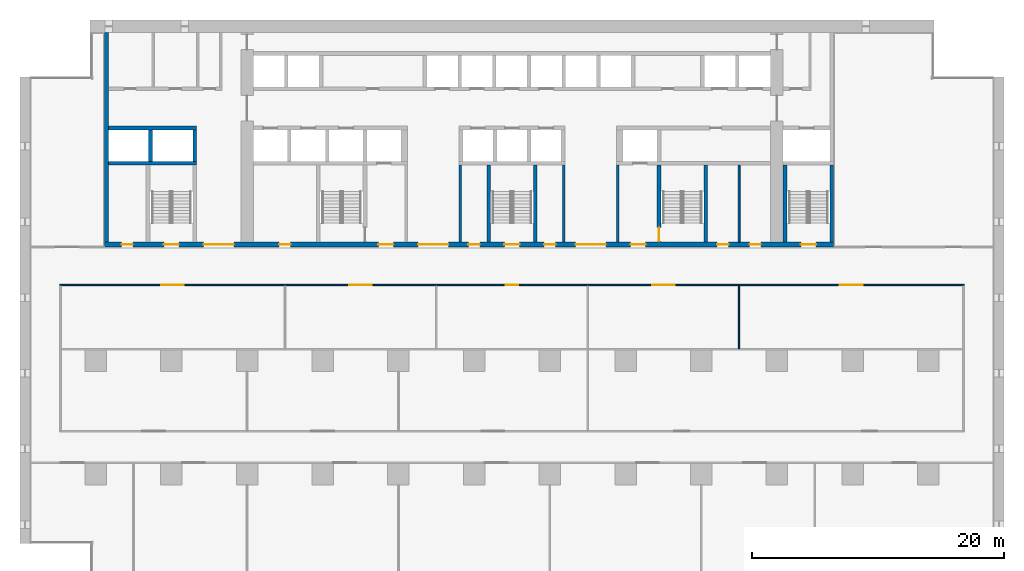
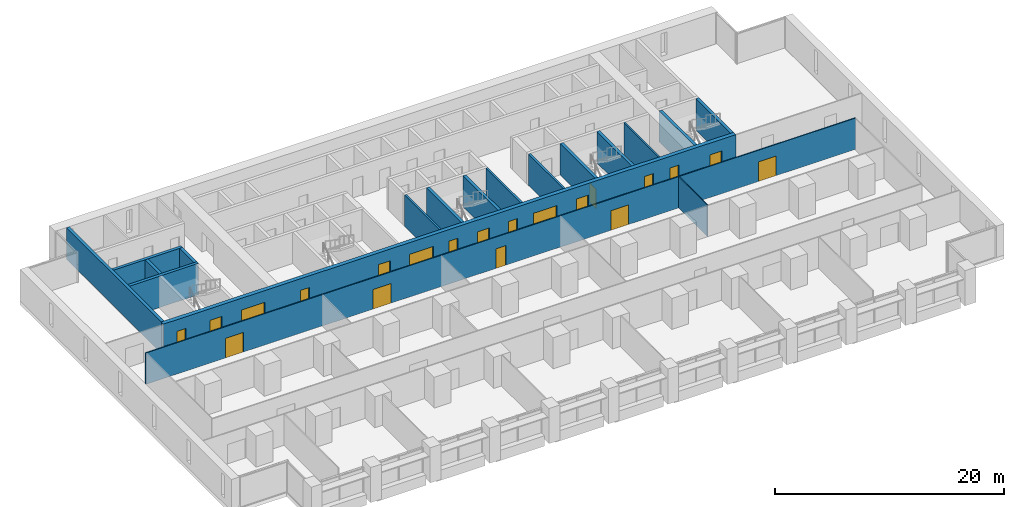
# One storey, part 10 of 18: 20 doors, 18 walls, 20 openings.
"""IFC4 building model written with IfcOpenShell, lengths in metres."""

from ifc_helpers import new_model, si_unit, direction, frame, frame_2d, origin, place, context, subcontext, project, spatial, rectangle, extrude, material, layer, layer_set, type_object, element, fill, save


model = new_model("IFC4")

# Units and contexts
model_context = context("Model", 3, precision=1e-05, world=origin(), true_north=direction((0.0, 1.0)))
body_context = subcontext(model_context, "Body", "Model", "MODEL_VIEW")
ifc_project = project(units=[si_unit("LENGTHUNIT", "METRE"), si_unit("AREAUNIT", "SQUARE_METRE"), si_unit("VOLUMEUNIT", "CUBIC_METRE"), si_unit("PLANEANGLEUNIT", "RADIAN"), si_unit("MASSUNIT", "GRAM", prefix="KILO")], contexts=[model_context])

# Site, building, storey
site_placement = place(None, origin())
site = spatial("IfcSite", under=ifc_project, at=site_placement, CompositionType="ELEMENT")
building_placement = place(site_placement, origin())
building = spatial("IfcBuilding", under=site, at=building_placement, Name="Calvaro Tower", CompositionType="ELEMENT")
storey_placement = place(building_placement, frame((0.0, 0.0, 52.5)))
storey = spatial("IfcBuildingStorey", under=building, at=storey_placement, Name="L12", CompositionType="ELEMENT", Elevation=52.5)

# Walls
ifc_material_1 = material(Name="Blockwork partition", Category="masonry")
ifc_layer_1 = layer(ifc_material_1, 0.14990234375)
ifc_layer_set_1 = layer_set([ifc_layer_1], Name="Blockwork partition")
wall_type_1 = type_object("IfcWallType", Name="Core partition 150 EI 60", PredefinedType="PARTITIONING", material=ifc_layer_set_1)
wall_1_placement = place(storey_placement, frame((57.0, 28.39990234375, 0.0), z_axis=(0.0, 0.0, 1.0), x_axis=(0.0, 1.0, 0.0)))
element("IfcWall", 1, at=wall_1_placement, inside=storey, type_object=wall_type_1, Name="Core partition", PredefinedType="PARTITIONING", context=body_context, shape_type="SweptSolid", body=[
    extrude(rectangle(XDim=6.10009765625, YDim=0.14990234375, at=frame_2d((3.050048828125, 0.0))), origin(), (0.0, 0.0, 1.0), 3.35009765625),
])
ifc_material_2 = material(Name="Blockwork partition", Category="masonry")
ifc_layer_2 = layer(ifc_material_2, 0.199951171875)
ifc_layer_set_2 = layer_set([ifc_layer_2], Name="Blockwork partition")
wall_type_2 = type_object("IfcWallType", Name="Core partition 200 REI 120", PredefinedType="PARTITIONING", material=ifc_layer_set_2)
for number, where, z_axis, x_axis, name in (
    (2, (34.89990234375, 28.39990234375, 0.0), (0.0, 0.0, 1.0), (0.0, 1.0, 0.0), "Core partition"),
    (3, (43.10009765625, 28.39990234375, 0.0), (0.0, 0.0, 1.0), (0.0, 1.0, 0.0), "Core partition"),
    (4, (47.39990234375, 28.39990234375, 0.0), (0.0, 0.0, 1.0), (0.0, 1.0, 0.0), "Core partition"),
):
    element("IfcWall", number, at=place(storey_placement, frame(where, z_axis=z_axis, x_axis=x_axis)), inside=storey, type_object=wall_type_2, Name=name, PredefinedType="PARTITIONING", context=body_context, shape_type="SweptSolid", body=[
        extrude(rectangle(XDim=6.10009765625, YDim=0.199951171875, at=frame_2d((3.050048828125, 0.0))), origin(), (0.0, 0.0, 1.0), 3.35009765625),
    ])
ifc_material_3 = material(Name="Concrete C80/95", Category="concrete")
ifc_layer_3 = layer(ifc_material_3, 0.300048828125)
ifc_layer_set_3 = layer_set([ifc_layer_3], Name="Concrete C80/95")
wall_type_3 = type_object("IfcWallType", Name="Core wall C80/95 300", PredefinedType="SHEAR", material=ifc_layer_set_3)
wall_2_placement = place(storey_placement, frame((6.85009765625, 28.39990234375, 0.0), z_axis=(0.0, 0.0, 1.0), x_axis=(0.0, 1.0, 0.0)))
element("IfcWall", 5, at=wall_2_placement, inside=storey, type_object=wall_type_3, Name="Core wall, boundary", PredefinedType="SHEAR", context=body_context, shape_type="SweptSolid", body=[
    extrude(rectangle(XDim=16.60009765625, YDim=0.300048828125, at=frame_2d((8.300048828125, 0.0))), origin(), (0.0, 0.0, 1.0), 3.35009765625),
])
for number, where, z_axis, x_axis, name in (
    (6, (37.14990234375, 28.39990234375, 0.0), (0.0, 0.0, 1.0), (0.0, 1.0, 0.0), "Core wall, stair enclosure"),
    (7, (40.85009765625, 28.39990234375, 0.0), (0.0, 0.0, 1.0), (0.0, 1.0, 0.0), "Core wall, stair enclosure"),
):
    element("IfcWall", number, at=place(storey_placement, frame(where, z_axis=z_axis, x_axis=x_axis)), inside=storey, type_object=wall_type_3, Name=name, PredefinedType="SHEAR", context=body_context, shape_type="SweptSolid", body=[
        extrude(rectangle(XDim=6.10009765625, YDim=0.300048828125, at=frame_2d((3.050048828125, 0.0))), origin(), (0.0, 0.0, 1.0), 3.35009765625),
    ])

# Wall, opening, door
wall_3_placement = place(storey_placement, frame((50.64990234375, 34.5, 0.0), z_axis=(0.0, 0.0, 1.0), x_axis=(0.0, -1.0, 0.0)))
wall_3 = element("IfcWall", 8, at=wall_3_placement, inside=storey, type_object=wall_type_3, Name="Core wall, stair enclosure", PredefinedType="SHEAR", context=body_context, shape_type="SweptSolid", body=[
    extrude(rectangle(XDim=6.10009765625, YDim=0.300048828125, at=frame_2d((3.050048828125, 0.0))), origin(), (0.0, 0.0, 1.0), 3.35009765625),
])
opening_1_placement = place(wall_3_placement, frame((4.949951171875, 0.0, 0.0)))
opening_1 = element("IfcOpeningElement", 9, at=opening_1_placement, cuts=wall_3, Name="Opening FD11D", PredefinedType="OPENING", context=body_context, shape_type="SweptSolid", body=[
    extrude(rectangle(XDim=1.10009765625, YDim=2.10009765625, at=frame_2d((0.550048828125, 1.050048828125))), frame((0.0, 0.159912109375, 0.0), z_axis=(0.0, -1.0, 0.0), x_axis=(1.0, 0.0, 0.0)), (0.0, 0.0, 1.0), 0.320068359375),
])
ifc_material_4 = material(Name="Steel door set", Category="steel")
door_type_1 = type_object("IfcDoorType", Name="Fire door 1100 FD30S", OperationType="SINGLE_SWING_LEFT", PredefinedType="DOOR", material=ifc_material_4)
door_1_placement = place(opening_1_placement, origin())
door_1 = element("IfcDoor", 10, at=door_1_placement, inside=storey, type_object=door_type_1, Name="Fire door", OperationType="SINGLE_SWING_RIGHT", OverallHeight=2.10009765625, OverallWidth=1.10009765625, PredefinedType="DOOR", context=body_context, shape_type="SweptSolid", body=[
    extrude(rectangle(XDim=1.10009765625, YDim=2.10009765625, at=frame_2d((0.550048828125, 1.050048828125))), frame((0.0, 0.02490234375, 0.0), z_axis=(0.0, -1.0, 0.0), x_axis=(1.0, 0.0, 0.0)), (0.0, 0.0, 1.0), 0.050048828125),
])
fill(opening_1, door_1)

# Walls
for number, where, z_axis, x_axis, name in (
    (11, (54.35009765625, 28.39990234375, 0.0), (0.0, 0.0, 1.0), (0.0, 1.0, 0.0), "Core wall, stair enclosure"),
    (12, (60.64990234375, 28.39990234375, 0.0), (0.0, 0.0, 1.0), (0.0, 1.0, 0.0), "Core wall, stair enclosure"),
    (13, (64.35009765625, 28.39990234375, 0.0), (0.0, 0.0, 1.0), (0.0, 1.0, 0.0), "Core wall, stair enclosure"),
):
    element("IfcWall", number, at=place(storey_placement, frame(where, z_axis=z_axis, x_axis=x_axis)), inside=storey, type_object=wall_type_3, Name=name, PredefinedType="SHEAR", context=body_context, shape_type="SweptSolid", body=[
        extrude(rectangle(XDim=6.10009765625, YDim=0.300048828125, at=frame_2d((3.050048828125, 0.0))), origin(), (0.0, 0.0, 1.0), 3.35009765625),
    ])
for number, where, z_axis, x_axis, name in (
    (14, (7.0, 34.64990234375, 0.0), (0.0, 0.0, 1.0), (1.0, 0.0, 0.0), "Core wall, lift shaft"),
    (15, (7.0, 37.449951171875, 0.0), (0.0, 0.0, 1.0), (1.0, 0.0, 0.0), "Core wall, lift shaft"),
):
    element("IfcWall", number, at=place(storey_placement, frame(where, z_axis=z_axis, x_axis=x_axis)), inside=storey, type_object=wall_type_3, Name=name, PredefinedType="SHEAR", context=body_context, shape_type="SweptSolid", body=[
        extrude(rectangle(XDim=7.0, YDim=0.300048828125, at=frame_2d((3.5, 0.0))), origin(), (0.0, 0.0, 1.0), 3.35009765625),
    ])
for number, where, z_axis, x_axis, name in (
    (16, (13.85009765625, 34.800048828125, 0.0), (0.0, 0.0, 1.0), (0.0, 1.0, 0.0), "Core wall, lift shaft"),
    (17, (10.35009765625, 34.800048828125, 0.0), (0.0, 0.0, 1.0), (0.0, 1.0, 0.0), "Core wall, lift shaft"),
):
    element("IfcWall", number, at=place(storey_placement, frame(where, z_axis=z_axis, x_axis=x_axis)), inside=storey, type_object=wall_type_3, Name=name, PredefinedType="SHEAR", context=body_context, shape_type="SweptSolid", body=[
        extrude(rectangle(XDim=2.5, YDim=0.300048828125, at=frame_2d((1.25, 0.0))), origin(), (0.0, 0.0, 1.0), 3.35009765625),
    ])

# Wall, openings, doors
ifc_material_5 = material(Name="Concrete C80/95", Category="concrete")
ifc_layer_4 = layer(ifc_material_5, 0.39990234375)
ifc_layer_set_4 = layer_set([ifc_layer_4], Name="Concrete C80/95")
wall_type_4 = type_object("IfcWallType", Name="Core wall C80/95 400", PredefinedType="SHEAR", material=ifc_layer_set_4)
wall_4_placement = place(storey_placement, frame((6.699951171875, 28.199951171875, 0.0), z_axis=(0.0, 0.0, 1.0), x_axis=(1.0, 0.0, 0.0)))
wall_4 = element("IfcWall", 18, at=wall_4_placement, inside=storey, type_object=wall_type_4, Name="Core wall, front", PredefinedType="SHEAR", context=body_context, shape_type="SweptSolid", body=[
    extrude(rectangle(XDim=57.800048828125, YDim=0.39990234375, at=frame_2d((28.89990234375, 0.0))), origin(), (0.0, 0.0, 1.0), 3.35009765625),
])
opening_2_placement = place(wall_4_placement, frame((13.85009765625, 0.0, 0.0)))
opening_2 = element("IfcOpeningElement", 19, at=opening_2_placement, cuts=wall_4, Name="Opening RD9E", PredefinedType="OPENING", context=body_context, shape_type="SweptSolid", body=[
    extrude(rectangle(XDim=0.89990234375, YDim=2.10009765625, at=frame_2d((0.449951171875, 1.050048828125))), frame((0.0, 0.2099609375, 0.0), z_axis=(0.0, -1.0, 0.0), x_axis=(1.0, 0.0, 0.0)), (0.0, 0.0, 1.0), 0.419921875),
])
opening_3_placement = place(wall_4_placement, frame((48.5625, 0.0, 0.0)))
opening_3 = element("IfcOpeningElement", 20, at=opening_3_placement, cuts=wall_4, Name="Opening RD9C", PredefinedType="OPENING", context=body_context, shape_type="SweptSolid", body=[
    extrude(rectangle(XDim=0.89990234375, YDim=2.10009765625, at=frame_2d((0.449951171875, 1.050048828125))), frame((0.0, 0.2099609375, 0.0), z_axis=(0.0, -1.0, 0.0), x_axis=(1.0, 0.0, 0.0)), (0.0, 0.0, 1.0), 0.419921875),
])
opening_4_placement = place(wall_4_placement, frame((51.137451171875, 0.0, 0.0)))
opening_4 = element("IfcOpeningElement", 21, at=opening_4_placement, cuts=wall_4, Name="Opening RD9C", PredefinedType="OPENING", context=body_context, shape_type="SweptSolid", body=[
    extrude(rectangle(XDim=0.89990234375, YDim=2.10009765625, at=frame_2d((0.449951171875, 1.050048828125))), frame((0.0, 0.2099609375, 0.0), z_axis=(0.0, -1.0, 0.0), x_axis=(1.0, 0.0, 0.0)), (0.0, 0.0, 1.0), 0.419921875),
])
opening_5_placement = place(wall_4_placement, frame((1.35009765625, 0.0, 0.0)))
opening_5 = element("IfcOpeningElement", 22, at=opening_5_placement, cuts=wall_4, Name="Opening RD9C", PredefinedType="OPENING", context=body_context, shape_type="SweptSolid", body=[
    extrude(rectangle(XDim=0.89990234375, YDim=2.10009765625, at=frame_2d((0.449951171875, 1.050048828125))), frame((0.0, 0.2099609375, 0.0), z_axis=(0.0, -1.0, 0.0), x_axis=(1.0, 0.0, 0.0)), (0.0, 0.0, 1.0), 0.419921875),
])
opening_6_placement = place(wall_4_placement, frame((4.699951171875, 0.0, 0.0)))
opening_6 = element("IfcOpeningElement", 23, at=opening_6_placement, cuts=wall_4, Name="Opening SD12D", PredefinedType="OPENING", context=body_context, shape_type="SweptSolid", body=[
    extrude(rectangle(XDim=1.199951171875, YDim=2.10009765625, at=frame_2d((0.60009765625, 1.050048828125))), frame((0.0, 0.2099609375, 0.0), z_axis=(0.0, -1.0, 0.0), x_axis=(1.0, 0.0, 0.0)), (0.0, 0.0, 1.0), 0.419921875),
])
opening_7_placement = place(wall_4_placement, frame((31.699951171875, 0.0, 0.0)))
opening_7 = element("IfcOpeningElement", 24, at=opening_7_placement, cuts=wall_4, Name="Opening SD12D", PredefinedType="OPENING", context=body_context, shape_type="SweptSolid", body=[
    extrude(rectangle(XDim=1.199951171875, YDim=2.10009765625, at=frame_2d((0.60009765625, 1.050048828125))), frame((0.0, 0.2099609375, 0.0), z_axis=(0.0, -1.0, 0.0), x_axis=(1.0, 0.0, 0.0)), (0.0, 0.0, 1.0), 0.419921875),
])
opening_8_placement = place(wall_4_placement, frame((55.199951171875, 0.0, 0.0)))
opening_8 = element("IfcOpeningElement", 25, at=opening_8_placement, cuts=wall_4, Name="Opening SD12D", PredefinedType="OPENING", context=body_context, shape_type="SweptSolid", body=[
    extrude(rectangle(XDim=1.199951171875, YDim=2.10009765625, at=frame_2d((0.60009765625, 1.050048828125))), frame((0.0, 0.2099609375, 0.0), z_axis=(0.0, -1.0, 0.0), x_axis=(1.0, 0.0, 0.0)), (0.0, 0.0, 1.0), 0.419921875),
])
opening_9_placement = place(wall_4_placement, frame((21.699951171875, 0.0, 0.0)))
opening_9 = element("IfcOpeningElement", 26, at=opening_9_placement, cuts=wall_4, Name="Opening FD12F", PredefinedType="OPENING", context=body_context, shape_type="SweptSolid", body=[
    extrude(rectangle(XDim=1.199951171875, YDim=2.10009765625, at=frame_2d((0.60009765625, 1.050048828125))), frame((0.0, 0.2099609375, 0.0), z_axis=(0.0, -1.0, 0.0), x_axis=(1.0, 0.0, 0.0)), (0.0, 0.0, 1.0), 0.419921875),
])
opening_10_placement = place(wall_4_placement, frame((41.699951171875, 0.0, 0.0)))
opening_10 = element("IfcOpeningElement", 27, at=opening_10_placement, cuts=wall_4, Name="Opening FD12F", PredefinedType="OPENING", context=body_context, shape_type="SweptSolid", body=[
    extrude(rectangle(XDim=1.199951171875, YDim=2.10009765625, at=frame_2d((0.60009765625, 1.050048828125))), frame((0.0, 0.2099609375, 0.0), z_axis=(0.0, -1.0, 0.0), x_axis=(1.0, 0.0, 0.0)), (0.0, 0.0, 1.0), 0.419921875),
])
opening_11_placement = place(wall_4_placement, frame((24.85009765625, 0.0, 0.0)))
opening_11 = element("IfcOpeningElement", 28, at=opening_11_placement, cuts=wall_4, Name="Opening DD24D", PredefinedType="OPENING", context=body_context, shape_type="SweptSolid", body=[
    extrude(rectangle(XDim=2.39990234375, YDim=2.10009765625, at=frame_2d((1.199951171875, 1.050048828125))), frame((0.0, 0.2099609375, 0.0), z_axis=(0.0, -1.0, 0.0), x_axis=(1.0, 0.0, 0.0)), (0.0, 0.0, 1.0), 0.419921875),
])
opening_12_placement = place(wall_4_placement, frame((37.35009765625, 0.0, 0.0)))
opening_12 = element("IfcOpeningElement", 29, at=opening_12_placement, cuts=wall_4, Name="Opening DD24D", PredefinedType="OPENING", context=body_context, shape_type="SweptSolid", body=[
    extrude(rectangle(XDim=2.39990234375, YDim=2.10009765625, at=frame_2d((1.199951171875, 1.050048828125))), frame((0.0, 0.2099609375, 0.0), z_axis=(0.0, -1.0, 0.0), x_axis=(1.0, 0.0, 0.0)), (0.0, 0.0, 1.0), 0.419921875),
])
opening_13_placement = place(wall_4_placement, frame((7.85009765625, 0.0, 0.0)))
opening_13 = element("IfcOpeningElement", 30, at=opening_13_placement, cuts=wall_4, Name="Opening DD24D", PredefinedType="OPENING", context=body_context, shape_type="SweptSolid", body=[
    extrude(rectangle(XDim=2.39990234375, YDim=2.10009765625, at=frame_2d((1.199951171875, 1.050048828125))), frame((0.0, 0.2099609375, 0.0), z_axis=(0.0, -1.0, 0.0), x_axis=(1.0, 0.0, 0.0)), (0.0, 0.0, 1.0), 0.419921875),
])
opening_14_placement = place(wall_4_placement, frame((28.85009765625, 0.0, 0.0)))
opening_14 = element("IfcOpeningElement", 31, at=opening_14_placement, cuts=wall_4, Name="Opening RD9E", PredefinedType="OPENING", context=body_context, shape_type="SweptSolid", body=[
    extrude(rectangle(XDim=0.89990234375, YDim=2.10009765625, at=frame_2d((0.449951171875, 1.050048828125))), frame((0.0, 0.2099609375, 0.0), z_axis=(0.0, -1.0, 0.0), x_axis=(1.0, 0.0, 0.0)), (0.0, 0.0, 1.0), 0.419921875),
])
opening_15_placement = place(wall_4_placement, frame((34.85009765625, 0.0, 0.0)))
opening_15 = element("IfcOpeningElement", 32, at=opening_15_placement, cuts=wall_4, Name="Opening RD9E", PredefinedType="OPENING", context=body_context, shape_type="SweptSolid", body=[
    extrude(rectangle(XDim=0.89990234375, YDim=2.10009765625, at=frame_2d((0.449951171875, 1.050048828125))), frame((0.0, 0.2099609375, 0.0), z_axis=(0.0, -1.0, 0.0), x_axis=(1.0, 0.0, 0.0)), (0.0, 0.0, 1.0), 0.419921875),
])
ifc_material_6 = material(Name="Steel door set", Category="steel")
door_type_2 = type_object("IfcDoorType", Name="Fire door 1200 FD60S", OperationType="SINGLE_SWING_LEFT", PredefinedType="DOOR", material=ifc_material_6)
door_2_placement = place(opening_9_placement, origin())
door_2 = element("IfcDoor", 33, at=door_2_placement, inside=storey, type_object=door_type_2, Name="Fire door", OperationType="SINGLE_SWING_LEFT", OverallHeight=2.10009765625, OverallWidth=1.199951171875, PredefinedType="DOOR", context=body_context, shape_type="SweptSolid", body=[
    extrude(rectangle(XDim=1.199951171875, YDim=2.10009765625, at=frame_2d((0.60009765625, 1.050048828125))), frame((0.0, 0.02490234375, 0.0), z_axis=(0.0, -1.0, 0.0), x_axis=(1.0, 0.0, 0.0)), (0.0, 0.0, 1.0), 0.050048828125),
])
fill(opening_9, door_2)
door_3_placement = place(opening_10_placement, origin())
door_3 = element("IfcDoor", 34, at=door_3_placement, inside=storey, type_object=door_type_2, Name="Fire door", OperationType="SINGLE_SWING_LEFT", OverallHeight=2.10009765625, OverallWidth=1.199951171875, PredefinedType="DOOR", context=body_context, shape_type="SweptSolid", body=[
    extrude(rectangle(XDim=1.199951171875, YDim=2.10009765625, at=frame_2d((0.60009765625, 1.050048828125))), frame((0.0, 0.02490234375, 0.0), z_axis=(0.0, -1.0, 0.0), x_axis=(1.0, 0.0, 0.0)), (0.0, 0.0, 1.0), 0.050048828125),
])
fill(opening_10, door_3)
ifc_material_7 = material(Name="Steel door set", Category="steel")
door_type_3 = type_object("IfcDoorType", Name="Lobby double door 2400 FD30S", OperationType="DOUBLE_DOOR_SINGLE_SWING", PredefinedType="DOOR", material=ifc_material_7)
door_4_placement = place(opening_11_placement, origin())
door_4 = element("IfcDoor", 35, at=door_4_placement, inside=storey, type_object=door_type_3, Name="Lobby double door", OperationType="DOUBLE_DOOR_SINGLE_SWING", OverallHeight=2.10009765625, OverallWidth=2.39990234375, PredefinedType="DOOR", context=body_context, shape_type="SweptSolid", body=[
    extrude(rectangle(XDim=2.39990234375, YDim=2.10009765625, at=frame_2d((1.199951171875, 1.050048828125))), frame((0.0, 0.02490234375, 0.0), z_axis=(0.0, -1.0, 0.0), x_axis=(1.0, 0.0, 0.0)), (0.0, 0.0, 1.0), 0.050048828125),
])
fill(opening_11, door_4)
door_5_placement = place(opening_12_placement, origin())
door_5 = element("IfcDoor", 36, at=door_5_placement, inside=storey, type_object=door_type_3, Name="Lobby double door", OperationType="DOUBLE_DOOR_SINGLE_SWING", OverallHeight=2.10009765625, OverallWidth=2.39990234375, PredefinedType="DOOR", context=body_context, shape_type="SweptSolid", body=[
    extrude(rectangle(XDim=2.39990234375, YDim=2.10009765625, at=frame_2d((1.199951171875, 1.050048828125))), frame((0.0, 0.02490234375, 0.0), z_axis=(0.0, -1.0, 0.0), x_axis=(1.0, 0.0, 0.0)), (0.0, 0.0, 1.0), 0.050048828125),
])
fill(opening_12, door_5)
door_6_placement = place(opening_13_placement, origin())
door_6 = element("IfcDoor", 37, at=door_6_placement, inside=storey, type_object=door_type_3, Name="Lobby double door", OperationType="DOUBLE_DOOR_SINGLE_SWING", OverallHeight=2.10009765625, OverallWidth=2.39990234375, PredefinedType="DOOR", context=body_context, shape_type="SweptSolid", body=[
    extrude(rectangle(XDim=2.39990234375, YDim=2.10009765625, at=frame_2d((1.199951171875, 1.050048828125))), frame((0.0, 0.02490234375, 0.0), z_axis=(0.0, -1.0, 0.0), x_axis=(1.0, 0.0, 0.0)), (0.0, 0.0, 1.0), 0.050048828125),
])
fill(opening_13, door_6)
ifc_material_8 = material(Name="Steel door set", Category="steel")
door_type_4 = type_object("IfcDoorType", Name="Room door 900 FD30", OperationType="SINGLE_SWING_LEFT", PredefinedType="DOOR", material=ifc_material_8)
door_7_placement = place(opening_3_placement, origin())
door_7 = element("IfcDoor", 38, at=door_7_placement, inside=storey, type_object=door_type_4, Name="Room door", OperationType="SINGLE_SWING_LEFT", OverallHeight=2.10009765625, OverallWidth=0.89990234375, PredefinedType="DOOR", context=body_context, shape_type="SweptSolid", body=[
    extrude(rectangle(XDim=0.89990234375, YDim=2.10009765625, at=frame_2d((0.449951171875, 1.050048828125))), frame((0.0, 0.02490234375, 0.0), z_axis=(0.0, -1.0, 0.0), x_axis=(1.0, 0.0, 0.0)), (0.0, 0.0, 1.0), 0.050048828125),
])
fill(opening_3, door_7)
door_8_placement = place(opening_4_placement, origin())
door_8 = element("IfcDoor", 39, at=door_8_placement, inside=storey, type_object=door_type_4, Name="Room door", OperationType="SINGLE_SWING_LEFT", OverallHeight=2.10009765625, OverallWidth=0.89990234375, PredefinedType="DOOR", context=body_context, shape_type="SweptSolid", body=[
    extrude(rectangle(XDim=0.89990234375, YDim=2.10009765625, at=frame_2d((0.449951171875, 1.050048828125))), frame((0.0, 0.02490234375, 0.0), z_axis=(0.0, -1.0, 0.0), x_axis=(1.0, 0.0, 0.0)), (0.0, 0.0, 1.0), 0.050048828125),
])
fill(opening_4, door_8)
door_9_placement = place(opening_5_placement, origin())
door_9 = element("IfcDoor", 40, at=door_9_placement, inside=storey, type_object=door_type_4, Name="Room door", OperationType="SINGLE_SWING_LEFT", OverallHeight=2.10009765625, OverallWidth=0.89990234375, PredefinedType="DOOR", context=body_context, shape_type="SweptSolid", body=[
    extrude(rectangle(XDim=0.89990234375, YDim=2.10009765625, at=frame_2d((0.449951171875, 1.050048828125))), frame((0.0, 0.02490234375, 0.0), z_axis=(0.0, -1.0, 0.0), x_axis=(1.0, 0.0, 0.0)), (0.0, 0.0, 1.0), 0.050048828125),
])
fill(opening_5, door_9)
ifc_material_9 = material(Name="Steel door set", Category="steel")
door_type_5 = type_object("IfcDoorType", Name="Room door 900 FD60", OperationType="SINGLE_SWING_LEFT", PredefinedType="DOOR", material=ifc_material_9)
door_10_placement = place(opening_2_placement, origin())
door_10 = element("IfcDoor", 41, at=door_10_placement, inside=storey, type_object=door_type_5, Name="Room door", OperationType="SINGLE_SWING_LEFT", OverallHeight=2.10009765625, OverallWidth=0.89990234375, PredefinedType="DOOR", context=body_context, shape_type="SweptSolid", body=[
    extrude(rectangle(XDim=0.89990234375, YDim=2.10009765625, at=frame_2d((0.449951171875, 1.050048828125))), frame((0.0, 0.02490234375, 0.0), z_axis=(0.0, -1.0, 0.0), x_axis=(1.0, 0.0, 0.0)), (0.0, 0.0, 1.0), 0.050048828125),
])
fill(opening_2, door_10)
door_11_placement = place(opening_14_placement, origin())
door_11 = element("IfcDoor", 42, at=door_11_placement, inside=storey, type_object=door_type_5, Name="Room door", OperationType="SINGLE_SWING_LEFT", OverallHeight=2.10009765625, OverallWidth=0.89990234375, PredefinedType="DOOR", context=body_context, shape_type="SweptSolid", body=[
    extrude(rectangle(XDim=0.89990234375, YDim=2.10009765625, at=frame_2d((0.449951171875, 1.050048828125))), frame((0.0, 0.02490234375, 0.0), z_axis=(0.0, -1.0, 0.0), x_axis=(1.0, 0.0, 0.0)), (0.0, 0.0, 1.0), 0.050048828125),
])
fill(opening_14, door_11)
door_12_placement = place(opening_15_placement, origin())
door_12 = element("IfcDoor", 43, at=door_12_placement, inside=storey, type_object=door_type_5, Name="Room door", OperationType="SINGLE_SWING_LEFT", OverallHeight=2.10009765625, OverallWidth=0.89990234375, PredefinedType="DOOR", context=body_context, shape_type="SweptSolid", body=[
    extrude(rectangle(XDim=0.89990234375, YDim=2.10009765625, at=frame_2d((0.449951171875, 1.050048828125))), frame((0.0, 0.02490234375, 0.0), z_axis=(0.0, -1.0, 0.0), x_axis=(1.0, 0.0, 0.0)), (0.0, 0.0, 1.0), 0.050048828125),
])
fill(opening_15, door_12)
ifc_material_10 = material(Name="Steel door set", Category="steel")
door_type_6 = type_object("IfcDoorType", Name="Stair door 1200 FD30S", OperationType="SINGLE_SWING_LEFT", PredefinedType="DOOR", material=ifc_material_10)
door_13_placement = place(opening_6_placement, origin())
door_13 = element("IfcDoor", 44, at=door_13_placement, inside=storey, type_object=door_type_6, Name="Stair door", OperationType="SINGLE_SWING_LEFT", OverallHeight=2.10009765625, OverallWidth=1.199951171875, PredefinedType="DOOR", context=body_context, shape_type="SweptSolid", body=[
    extrude(rectangle(XDim=1.199951171875, YDim=2.10009765625, at=frame_2d((0.60009765625, 1.050048828125))), frame((0.0, 0.02490234375, 0.0), z_axis=(0.0, -1.0, 0.0), x_axis=(1.0, 0.0, 0.0)), (0.0, 0.0, 1.0), 0.050048828125),
])
fill(opening_6, door_13)
door_14_placement = place(opening_7_placement, origin())
door_14 = element("IfcDoor", 45, at=door_14_placement, inside=storey, type_object=door_type_6, Name="Stair door", OperationType="SINGLE_SWING_LEFT", OverallHeight=2.10009765625, OverallWidth=1.199951171875, PredefinedType="DOOR", context=body_context, shape_type="SweptSolid", body=[
    extrude(rectangle(XDim=1.199951171875, YDim=2.10009765625, at=frame_2d((0.60009765625, 1.050048828125))), frame((0.0, 0.02490234375, 0.0), z_axis=(0.0, -1.0, 0.0), x_axis=(1.0, 0.0, 0.0)), (0.0, 0.0, 1.0), 0.050048828125),
])
fill(opening_7, door_14)
door_15_placement = place(opening_8_placement, origin())
door_15 = element("IfcDoor", 46, at=door_15_placement, inside=storey, type_object=door_type_6, Name="Stair door", OperationType="SINGLE_SWING_LEFT", OverallHeight=2.10009765625, OverallWidth=1.199951171875, PredefinedType="DOOR", context=body_context, shape_type="SweptSolid", body=[
    extrude(rectangle(XDim=1.199951171875, YDim=2.10009765625, at=frame_2d((0.60009765625, 1.050048828125))), frame((0.0, 0.02490234375, 0.0), z_axis=(0.0, -1.0, 0.0), x_axis=(1.0, 0.0, 0.0)), (0.0, 0.0, 1.0), 0.050048828125),
])
fill(opening_8, door_15)

# Wall
ifc_material_11 = material(Name="Plasterboard on steel studs", Category="steel")
ifc_layer_5 = layer(ifc_material_11, 0.10009765625)
ifc_layer_set_5 = layer_set([ifc_layer_5], Name="Plasterboard on steel studs")
wall_type_5 = type_object("IfcWallType", Name="Partition 100", PredefinedType="PARTITIONING", material=ifc_layer_set_5)
wall_5_placement = place(storey_placement, frame((57.0, 19.949951171875, 0.0), z_axis=(0.0, 0.0, 1.0), x_axis=(0.0, 1.0, 0.0)))
element("IfcWall", 47, at=wall_5_placement, inside=storey, type_object=wall_type_5, Name="Partition T11.W019", PredefinedType="PARTITIONING", context=body_context, shape_type="SweptSolid", body=[
    extrude(rectangle(XDim=5.0, YDim=0.10009765625, at=frame_2d((2.5, 0.0))), origin(), (0.0, 0.0, 1.0), 3.35009765625),
])

# Wall, openings, doors
ifc_material_12 = material(Name="Plasterboard on steel studs", Category="steel")
ifc_layer_6 = layer(ifc_material_12, 0.10009765625)
ifc_layer_set_6 = layer_set([ifc_layer_6], Name="Plasterboard on steel studs")
wall_type_6 = type_object("IfcWallType", Name="Partition 100 REI 120", PredefinedType="PARTITIONING", material=ifc_layer_set_6)
wall_6_placement = place(storey_placement, frame((3.14990234375, 25.0, 0.0), z_axis=(0.0, 0.0, 1.0), x_axis=(1.0, 0.0, 0.0)))
wall_6 = element("IfcWall", 48, at=wall_6_placement, inside=storey, type_object=wall_type_6, Name="Partition T11.W004", PredefinedType="PARTITIONING", context=body_context, shape_type="SweptSolid", body=[
    extrude(rectangle(XDim=71.7001953125, YDim=0.10009765625, at=frame_2d((35.85009765625, 0.0))), origin(), (0.0, 0.0, 1.0), 3.35009765625),
])
opening_16_placement = place(wall_6_placement, frame((8.050048828125, 0.0, 0.0)))
opening_16 = element("IfcOpeningElement", 49, at=opening_16_placement, cuts=wall_6, Name="Opening T11.013", PredefinedType="OPENING", context=body_context, shape_type="SweptSolid", body=[
    extrude(rectangle(XDim=1.800048828125, YDim=2.10009765625, at=frame_2d((0.89990234375, 1.050048828125))), frame((0.0, 0.06005859375, 0.0), z_axis=(0.0, -1.0, 0.0), x_axis=(1.0, 0.0, 0.0)), (0.0, 0.0, 1.0), 0.1201171875),
])
opening_17_placement = place(wall_6_placement, frame((61.85009765625, 0.0, 0.0)))
opening_17 = element("IfcOpeningElement", 50, at=opening_17_placement, cuts=wall_6, Name="Opening T11.014", PredefinedType="OPENING", context=body_context, shape_type="SweptSolid", body=[
    extrude(rectangle(XDim=1.800048828125, YDim=2.10009765625, at=frame_2d((0.89990234375, 1.050048828125))), frame((0.0, 0.06005859375, 0.0), z_axis=(0.0, -1.0, 0.0), x_axis=(1.0, 0.0, 0.0)), (0.0, 0.0, 1.0), 0.1201171875),
])
opening_18_placement = place(wall_6_placement, frame((22.949951171875, 0.0, 0.0)))
opening_18 = element("IfcOpeningElement", 51, at=opening_18_placement, cuts=wall_6, Name="Opening T11.015", PredefinedType="OPENING", context=body_context, shape_type="SweptSolid", body=[
    extrude(rectangle(XDim=1.800048828125, YDim=2.10009765625, at=frame_2d((0.89990234375, 1.050048828125))), frame((0.0, 0.06005859375, 0.0), z_axis=(0.0, -1.0, 0.0), x_axis=(1.0, 0.0, 0.0)), (0.0, 0.0, 1.0), 0.1201171875),
])
opening_19_placement = place(wall_6_placement, frame((35.35009765625, 0.0, 0.0)))
opening_19 = element("IfcOpeningElement", 52, at=opening_19_placement, cuts=wall_6, Name="Opening T11.016", PredefinedType="OPENING", context=body_context, shape_type="SweptSolid", body=[
    extrude(rectangle(XDim=1.0, YDim=2.10009765625, at=frame_2d((0.5, 1.050048828125))), frame((0.0, 0.06005859375, 0.0), z_axis=(0.0, -1.0, 0.0), x_axis=(1.0, 0.0, 0.0)), (0.0, 0.0, 1.0), 0.1201171875),
])
opening_20_placement = place(wall_6_placement, frame((46.949951171875, 0.0, 0.0)))
opening_20 = element("IfcOpeningElement", 53, at=opening_20_placement, cuts=wall_6, Name="Opening T11.017", PredefinedType="OPENING", context=body_context, shape_type="SweptSolid", body=[
    extrude(rectangle(XDim=1.800048828125, YDim=2.10009765625, at=frame_2d((0.89990234375, 1.050048828125))), frame((0.0, 0.06005859375, 0.0), z_axis=(0.0, -1.0, 0.0), x_axis=(1.0, 0.0, 0.0)), (0.0, 0.0, 1.0), 0.1201171875),
])
ifc_material_13 = material(Name="Timber", Category="wood")
door_type_7 = type_object("IfcDoorType", Name="Internal double door 1800 x 2100", OperationType="DOUBLE_DOOR_SINGLE_SWING", PredefinedType="DOOR", material=ifc_material_13)
door_16_placement = place(opening_16_placement, origin())
door_16 = element("IfcDoor", 54, at=door_16_placement, inside=storey, type_object=door_type_7, Name="Door T11.013", OperationType="DOUBLE_DOOR_SINGLE_SWING", OverallHeight=2.10009765625, OverallWidth=1.800048828125, PredefinedType="DOOR", context=body_context, shape_type="SweptSolid", body=[
    extrude(rectangle(XDim=1.800048828125, YDim=2.10009765625, at=frame_2d((0.89990234375, 1.050048828125))), frame((0.0, 0.02490234375, 0.0), z_axis=(0.0, -1.0, 0.0), x_axis=(1.0, 0.0, 0.0)), (0.0, 0.0, 1.0), 0.050048828125),
])
fill(opening_16, door_16)
door_17_placement = place(opening_17_placement, origin())
door_17 = element("IfcDoor", 55, at=door_17_placement, inside=storey, type_object=door_type_7, Name="Door T11.014", OperationType="DOUBLE_DOOR_SINGLE_SWING", OverallHeight=2.10009765625, OverallWidth=1.800048828125, PredefinedType="DOOR", context=body_context, shape_type="SweptSolid", body=[
    extrude(rectangle(XDim=1.800048828125, YDim=2.10009765625, at=frame_2d((0.89990234375, 1.050048828125))), frame((0.0, 0.02490234375, 0.0), z_axis=(0.0, -1.0, 0.0), x_axis=(1.0, 0.0, 0.0)), (0.0, 0.0, 1.0), 0.050048828125),
])
fill(opening_17, door_17)
door_18_placement = place(opening_18_placement, origin())
door_18 = element("IfcDoor", 56, at=door_18_placement, inside=storey, type_object=door_type_7, Name="Door T11.015", OperationType="DOUBLE_DOOR_SINGLE_SWING", OverallHeight=2.10009765625, OverallWidth=1.800048828125, PredefinedType="DOOR", context=body_context, shape_type="SweptSolid", body=[
    extrude(rectangle(XDim=1.800048828125, YDim=2.10009765625, at=frame_2d((0.89990234375, 1.050048828125))), frame((0.0, 0.02490234375, 0.0), z_axis=(0.0, -1.0, 0.0), x_axis=(1.0, 0.0, 0.0)), (0.0, 0.0, 1.0), 0.050048828125),
])
fill(opening_18, door_18)
door_19_placement = place(opening_20_placement, origin())
door_19 = element("IfcDoor", 57, at=door_19_placement, inside=storey, type_object=door_type_7, Name="Door T11.017", OperationType="DOUBLE_DOOR_SINGLE_SWING", OverallHeight=2.10009765625, OverallWidth=1.800048828125, PredefinedType="DOOR", context=body_context, shape_type="SweptSolid", body=[
    extrude(rectangle(XDim=1.800048828125, YDim=2.10009765625, at=frame_2d((0.89990234375, 1.050048828125))), frame((0.0, 0.02490234375, 0.0), z_axis=(0.0, -1.0, 0.0), x_axis=(1.0, 0.0, 0.0)), (0.0, 0.0, 1.0), 0.050048828125),
])
fill(opening_20, door_19)
ifc_material_14 = material(Name="Timber", Category="wood")
door_type_8 = type_object("IfcDoorType", Name="Internal single door 1000 x 2100 FD60", OperationType="SINGLE_SWING_LEFT", PredefinedType="DOOR", material=ifc_material_14)
door_20_placement = place(opening_19_placement, origin())
door_20 = element("IfcDoor", 58, at=door_20_placement, inside=storey, type_object=door_type_8, Name="Door T11.016", OperationType="SINGLE_SWING_RIGHT", OverallHeight=2.10009765625, OverallWidth=1.0, PredefinedType="DOOR", context=body_context, shape_type="SweptSolid", body=[
    extrude(rectangle(XDim=1.0, YDim=2.10009765625, at=frame_2d((0.5, 1.050048828125))), frame((0.0, 0.02490234375, 0.0), z_axis=(0.0, -1.0, 0.0), x_axis=(1.0, 0.0, 0.0)), (0.0, 0.0, 1.0), 0.050048828125),
])
fill(opening_19, door_20)

save(model, "model.ifc")
